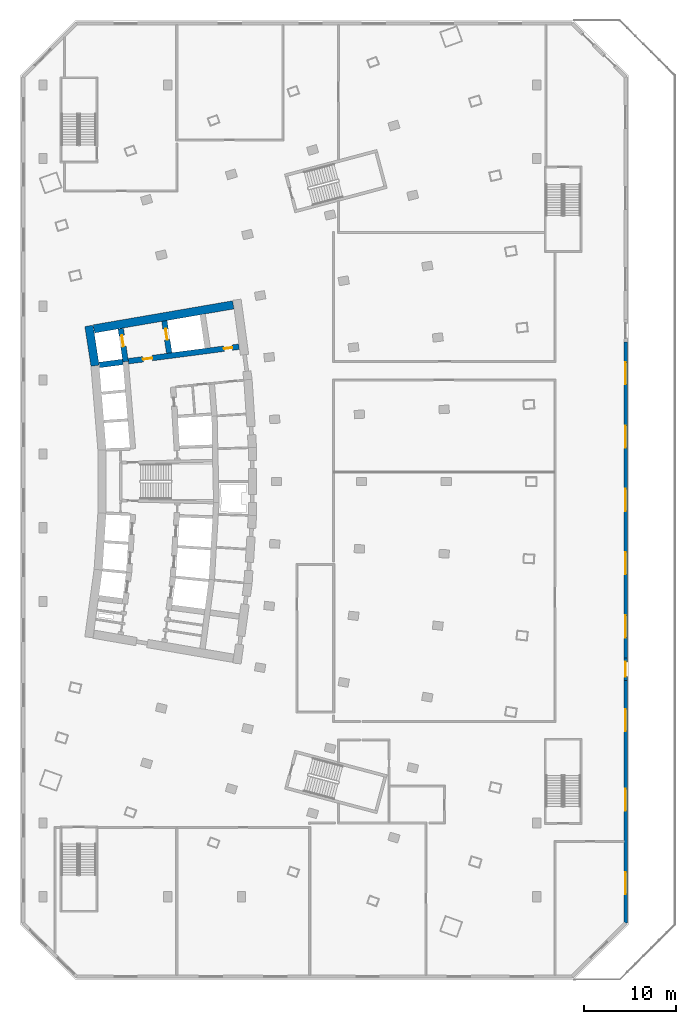
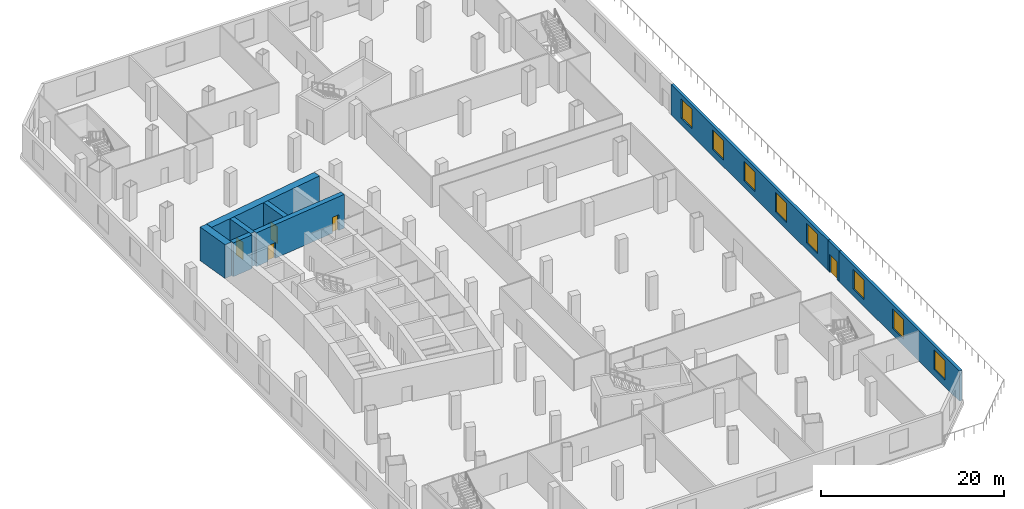
# One storey, part 6 of 14: 9 walls, 8 windows, 5 doors, 13 openings.
"""IFC4 building model written with IfcOpenShell, lengths in metres."""

from ifc_helpers import new_model, si_unit, direction, frame, frame_2d, origin, place, context, subcontext, project, spatial, rectangle, extrude, material, layer, layer_set, type_object, element, fill, save


model = new_model("IFC4")

# Units and contexts
model_context = context("Model", 3, precision=1e-05, world=origin(), true_north=direction((0.0, 1.0)))
body_context = subcontext(model_context, "Body", "Model", "MODEL_VIEW")
ifc_project = project(units=[si_unit("LENGTHUNIT", "METRE"), si_unit("AREAUNIT", "SQUARE_METRE"), si_unit("VOLUMEUNIT", "CUBIC_METRE"), si_unit("PLANEANGLEUNIT", "RADIAN"), si_unit("MASSUNIT", "GRAM", prefix="KILO")], contexts=[model_context])

# Site, building, storey
site_placement = place(None, origin())
site = spatial("IfcSite", under=ifc_project, at=site_placement, CompositionType="ELEMENT")
building_placement = place(site_placement, origin())
building = spatial("IfcBuilding", under=site, at=building_placement, Name="Alderwake Tower", CompositionType="ELEMENT")
storey_placement = place(building_placement, frame((0.0, 0.0, 23.0)))
storey = spatial("IfcBuildingStorey", under=building, at=storey_placement, Name="L04", CompositionType="ELEMENT", Elevation=23.0)

# Walls
ifc_material_1 = material(Name="Concrete C70/85", Category="concrete")
ifc_layer_1 = layer(ifc_material_1, 0.89990234375)
ifc_layer_set_1 = layer_set([ifc_layer_1], Name="Core wall outer 900 C70-85")
wall_type_1 = type_object("IfcWallType", Name="Core wall outer 900 C70-85", PredefinedType="SHEAR", material=ifc_layer_set_1)
wall_1_placement = place(storey_placement, frame((16.1337890625, 73.557373046875, 0.0), z_axis=(0.0, 0.0, 1.0), x_axis=(-0.151956504286, 0.988387181627, 0.0)))
element("IfcWall", 1, at=wall_1_placement, inside=storey, type_object=wall_type_1, Name="Core wall CW.039", PredefinedType="SHEAR", context=body_context, shape_type="SweptSolid", body=[
    extrude(rectangle(XDim=4.373291015625, YDim=0.89990234375, at=frame_2d((2.1865234375, 0.0))), origin(), (0.0, 0.0, 1.0), 4.5),
])
wall_2_placement = place(storey_placement, frame((16.005615234375, 77.548828125, 0.0), z_axis=(0.0, 0.0, 1.0), x_axis=(0.985465815888, 0.169873852363, 0.0)))
element("IfcWall", 2, at=wall_2_placement, inside=storey, type_object=wall_type_1, Name="Core wall CW.053", PredefinedType="SHEAR", context=body_context, shape_type="SweptSolid", body=[
    extrude(rectangle(XDim=15.33056640625, YDim=0.89990234375, at=frame_2d((7.665283203125, 0.0))), origin(), (0.0, 0.0, 1.0), 4.5),
])

# Wall, opening, door
ifc_material_2 = material(Name="Concrete C70/85", Category="concrete")
ifc_layer_2 = layer(ifc_material_2, 0.60009765625)
ifc_layer_set_2 = layer_set([ifc_layer_2], Name="Core wall spine 600 C70-85")
wall_type_2 = type_object("IfcWallType", Name="Core wall spine 600 C70-85", PredefinedType="SHEAR", material=ifc_layer_set_2)
wall_3_placement = place(storey_placement, frame((19.45458984375, 73.99755859375, 0.0), z_axis=(0.0, 0.0, 1.0), x_axis=(-0.147502312715, 0.989061710786, 0.0)))
wall_3 = element("IfcWall", 3, at=wall_3_placement, inside=storey, type_object=wall_type_2, Name="Core wall CW.030", PredefinedType="SHEAR", context=body_context, shape_type="SweptSolid", body=[
    extrude(rectangle(XDim=3.6181640625, YDim=0.60009765625, at=frame_2d((1.80908203125, 0.0))), origin(), (0.0, 0.0, 1.0), 4.5),
])
opening_1_placement = place(wall_3_placement, frame((1.664306640625, 0.0, 0.0)))
opening_1 = element("IfcOpeningElement", 4, at=opening_1_placement, cuts=wall_3, Name="Opening LD-FF1", PredefinedType="OPENING", context=body_context, shape_type="SweptSolid", body=[
    extrude(rectangle(XDim=1.199951171875, YDim=2.300048828125, at=frame_2d((0.60009765625, 1.14990234375))), frame((0.0, 0.31005859375, 0.0), z_axis=(0.0, -1.0, 0.0), x_axis=(1.0, 0.0, 0.0)), (0.0, 0.0, 1.0), 0.6201171875),
])
ifc_material_3 = material(Name="Stainless steel sliding leaf", Category="steel")
door_type_1 = type_object("IfcDoorType", Name="Lift landing door 1200", OperationType="SLIDING_TO_LEFT", PredefinedType="DOOR", material=ifc_material_3)
door_1_placement = place(opening_1_placement, origin())
door_1 = element("IfcDoor", 5, at=door_1_placement, inside=storey, type_object=door_type_1, Name="Lift landing door FF1", OperationType="SLIDING_TO_LEFT", OverallHeight=2.300048828125, OverallWidth=1.199951171875, PredefinedType="DOOR", context=body_context, shape_type="SweptSolid", body=[
    extrude(rectangle(XDim=1.199951171875, YDim=2.300048828125, at=frame_2d((0.60009765625, 1.14990234375))), frame((0.0, 0.050048828125, 0.0), z_axis=(0.0, -1.0, 0.0), x_axis=(1.0, 0.0, 0.0)), (0.0, 0.0, 1.0), 0.10009765625),
])
fill(opening_1, door_1)

wall_4_placement = place(storey_placement, frame((24.173095703125, 74.927734375, 0.0), z_axis=(0.0, 0.0, 1.0), x_axis=(-0.14910953086, 0.988820685365, 0.0)))
wall_4 = element("IfcWall", 6, at=wall_4_placement, inside=storey, type_object=wall_type_2, Name="Core wall CW.044", PredefinedType="SHEAR", context=body_context, shape_type="SweptSolid", body=[
    extrude(rectangle(XDim=3.5234375, YDim=0.60009765625, at=frame_2d((1.76171875, 0.0))), origin(), (0.0, 0.0, 1.0), 4.5),
])
opening_2_placement = place(wall_4_placement, frame((1.4619140625, 0.0, 0.0)))
opening_2 = element("IfcOpeningElement", 7, at=opening_2_placement, cuts=wall_4, Name="Opening LD-FF2", PredefinedType="OPENING", context=body_context, shape_type="SweptSolid", body=[
    extrude(rectangle(XDim=1.199951171875, YDim=2.300048828125, at=frame_2d((0.60009765625, 1.14990234375))), frame((0.0, 0.31005859375, 0.0), z_axis=(0.0, -1.0, 0.0), x_axis=(1.0, 0.0, 0.0)), (0.0, 0.0, 1.0), 0.6201171875),
])
door_2_placement = place(opening_2_placement, origin())
door_2 = element("IfcDoor", 8, at=door_2_placement, inside=storey, type_object=door_type_1, Name="Lift landing door FF2", OperationType="SLIDING_TO_LEFT", OverallHeight=2.300048828125, OverallWidth=1.199951171875, PredefinedType="DOOR", context=body_context, shape_type="SweptSolid", body=[
    extrude(rectangle(XDim=1.199951171875, YDim=2.300048828125, at=frame_2d((0.60009765625, 1.14990234375))), frame((0.0, 0.050048828125, 0.0), z_axis=(0.0, -1.0, 0.0), x_axis=(1.0, 0.0, 0.0)), (0.0, 0.0, 1.0), 0.10009765625),
])
fill(opening_2, door_2)

# Wall
wall_5_placement = place(storey_placement, frame((16.607666015625, 73.635498046875, 0.0), z_axis=(0.0, 0.0, 1.0), x_axis=(0.991551057449, 0.129717001478, 0.0)))
element("IfcWall", 9, at=wall_5_placement, inside=storey, type_object=wall_type_2, Name="Core wall CW.051", PredefinedType="SHEAR", context=body_context, shape_type="SweptSolid", body=[
    extrude(rectangle(XDim=2.569091796875, YDim=0.60009765625, at=frame_2d((1.28466796875, 0.0))), origin(), (0.0, 0.0, 1.0), 4.5),
])

# Wall, openings, doors
wall_6_placement = place(storey_placement, frame((31.735595703125, 75.6142578125, 0.0), z_axis=(0.0, 0.0, 1.0), x_axis=(-0.991553829991, -0.129695806526, 0.0)))
wall_6 = element("IfcWall", 10, at=wall_6_placement, inside=storey, type_object=wall_type_2, Name="Core wall CW.052", PredefinedType="SHEAR", context=body_context, shape_type="SweptSolid", body=[
    extrude(rectangle(XDim=12.0869140625, YDim=0.60009765625, at=frame_2d((6.04345703125, 0.0))), origin(), (0.0, 0.0, 1.0), 4.5),
])
opening_3_placement = place(wall_6_placement, frame((9.4873046875, 0.0, 0.0)))
opening_3 = element("IfcOpeningElement", 11, at=opening_3_placement, cuts=wall_6, Name="Opening C002", PredefinedType="OPENING", context=body_context, shape_type="SweptSolid", body=[
    extrude(rectangle(XDim=1.0, YDim=2.10009765625, at=frame_2d((0.5, 1.050048828125))), frame((0.0, 0.31005859375, 0.0), z_axis=(0.0, -1.0, 0.0), x_axis=(1.0, 0.0, 0.0)), (0.0, 0.0, 1.0), 0.6201171875),
])
opening_4_placement = place(wall_6_placement, frame((0.7373046875, 0.0, 0.0)))
opening_4 = element("IfcOpeningElement", 12, at=opening_4_placement, cuts=wall_6, Name="Opening C020", PredefinedType="OPENING", context=body_context, shape_type="SweptSolid", body=[
    extrude(rectangle(XDim=0.89990234375, YDim=2.10009765625, at=frame_2d((0.449951171875, 1.050048828125))), frame((0.0, 0.31005859375, 0.0), z_axis=(0.0, -1.0, 0.0), x_axis=(1.0, 0.0, 0.0)), (0.0, 0.0, 1.0), 0.6201171875),
])
ifc_material_4 = material(Name="Painted steel leaf", Category="steel")
door_type_2 = type_object("IfcDoorType", Name="Core room door 900", OperationType="SINGLE_SWING_LEFT", PredefinedType="DOOR", material=ifc_material_4)
door_3_placement = place(opening_4_placement, origin())
door_3 = element("IfcDoor", 13, at=door_3_placement, inside=storey, type_object=door_type_2, Name="Room door", OperationType="SINGLE_SWING_LEFT", OverallHeight=2.10009765625, OverallWidth=0.89990234375, PredefinedType="DOOR", context=body_context, shape_type="SweptSolid", body=[
    extrude(rectangle(XDim=0.89990234375, YDim=2.10009765625, at=frame_2d((0.449951171875, 1.050048828125))), frame((0.0, 0.050048828125, 0.0), z_axis=(0.0, -1.0, 0.0), x_axis=(1.0, 0.0, 0.0)), (0.0, 0.0, 1.0), 0.10009765625),
])
fill(opening_4, door_3)
ifc_material_5 = material(Name="Steel-framed fire door leaf", Category="steel")
door_type_3 = type_object("IfcDoorType", Name="Firefighting lobby door 1000 fire-rated", OperationType="SINGLE_SWING_LEFT", PredefinedType="DOOR", material=ifc_material_5)
door_4_placement = place(opening_3_placement, origin())
door_4 = element("IfcDoor", 14, at=door_4_placement, inside=storey, type_object=door_type_3, Name="Firefighting lobby door", OperationType="SINGLE_SWING_RIGHT", OverallHeight=2.10009765625, OverallWidth=1.0, PredefinedType="DOOR", context=body_context, shape_type="SweptSolid", body=[
    extrude(rectangle(XDim=1.0, YDim=2.10009765625, at=frame_2d((0.5, 1.050048828125))), frame((0.0, 0.050048828125, 0.0), z_axis=(0.0, -1.0, 0.0), x_axis=(1.0, 0.0, 0.0)), (0.0, 0.0, 1.0), 0.10009765625),
])
fill(opening_3, door_4)

# Wall, openings, windows
ifc_material_6 = material(Name="Precast concrete C50/60 spandrel panel", Category="concrete")
ifc_layer_3 = layer(ifc_material_6, 0.35009765625)
ifc_layer_set_3 = layer_set([ifc_layer_3], Name="External wall EW4 Precast concrete C50/60 podium")
wall_type_3 = type_object("IfcWallType", Name="External wall EW4 Precast concrete C50/60 podium", PredefinedType="SOLIDWALL", material=ifc_layer_set_3)
wall_7_placement = place(storey_placement, frame((73.64990234375, 13.14501953125, 0.0), z_axis=(0.0, 0.0, 1.0), x_axis=(0.0, 1.0, 0.0)))
wall_7 = element("IfcWall", 15, at=wall_7_placement, inside=storey, type_object=wall_type_3, Name="External wall 3", PredefinedType="SOLIDWALL", context=body_context, shape_type="SweptSolid", body=[
    extrude(rectangle(XDim=26.3173828125, YDim=0.35009765625, at=frame_2d((13.15869140625, 0.0))), origin(), (0.0, 0.0, 1.0), 4.050048828125),
])
opening_5_placement = place(wall_7_placement, frame((3.136962890625, 0.0, 0.89990234375)))
opening_5 = element("IfcOpeningElement", 16, at=opening_5_placement, cuts=wall_7, Name="Opening W6", PredefinedType="OPENING", context=body_context, shape_type="SweptSolid", body=[
    extrude(rectangle(XDim=2.39990234375, YDim=2.60009765625, at=frame_2d((1.199951171875, 1.300048828125))), frame((0.0, 0.18505859375, 0.0), z_axis=(0.0, -1.0, 0.0), x_axis=(1.0, 0.0, 0.0)), (0.0, 0.0, 1.0), 0.3701171875),
])
opening_6_placement = place(wall_7_placement, frame((12.15478515625, 0.0, 0.89990234375)))
opening_6 = element("IfcOpeningElement", 17, at=opening_6_placement, cuts=wall_7, Name="Opening W6", PredefinedType="OPENING", context=body_context, shape_type="SweptSolid", body=[
    extrude(rectangle(XDim=2.39990234375, YDim=2.60009765625, at=frame_2d((1.199951171875, 1.300048828125))), frame((0.0, 0.18505859375, 0.0), z_axis=(0.0, -1.0, 0.0), x_axis=(1.0, 0.0, 0.0)), (0.0, 0.0, 1.0), 0.3701171875),
])
opening_7_placement = place(wall_7_placement, frame((20.796630859375, 0.0, 0.89990234375)))
opening_7 = element("IfcOpeningElement", 18, at=opening_7_placement, cuts=wall_7, Name="Opening W6", PredefinedType="OPENING", context=body_context, shape_type="SweptSolid", body=[
    extrude(rectangle(XDim=2.39990234375, YDim=2.60009765625, at=frame_2d((1.199951171875, 1.300048828125))), frame((0.0, 0.18505859375, 0.0), z_axis=(0.0, -1.0, 0.0), x_axis=(1.0, 0.0, 0.0)), (0.0, 0.0, 1.0), 0.3701171875),
])
ifc_material_7 = material(Name="Bronze tinted glass in aluminium frame", Category="aluminium")
window_type = type_object("IfcWindowType", Name="Window W6 podium", PartitioningType="DOUBLE_PANEL_VERTICAL", PredefinedType="WINDOW", material=ifc_material_7)
window_1_placement = place(opening_5_placement, origin())
window_1 = element("IfcWindow", 19, at=window_1_placement, inside=storey, type_object=window_type, Name="Window W6 podium", OverallHeight=2.60009765625, OverallWidth=2.39990234375, PartitioningType="DOUBLE_PANEL_VERTICAL", PredefinedType="WINDOW", context=body_context, shape_type="SweptSolid", body=[
    extrude(rectangle(XDim=2.39990234375, YDim=2.60009765625, at=frame_2d((1.199951171875, 1.300048828125))), frame((0.0, 0.030029296875, 0.0), z_axis=(0.0, -1.0, 0.0), x_axis=(1.0, 0.0, 0.0)), (0.0, 0.0, 1.0), 0.06005859375),
])
fill(opening_5, window_1)
window_2_placement = place(opening_6_placement, origin())
window_2 = element("IfcWindow", 20, at=window_2_placement, inside=storey, type_object=window_type, Name="Window W6 podium", OverallHeight=2.60009765625, OverallWidth=2.39990234375, PartitioningType="DOUBLE_PANEL_VERTICAL", PredefinedType="WINDOW", context=body_context, shape_type="SweptSolid", body=[
    extrude(rectangle(XDim=2.39990234375, YDim=2.60009765625, at=frame_2d((1.199951171875, 1.300048828125))), frame((0.0, 0.030029296875, 0.0), z_axis=(0.0, -1.0, 0.0), x_axis=(1.0, 0.0, 0.0)), (0.0, 0.0, 1.0), 0.06005859375),
])
fill(opening_6, window_2)
window_3_placement = place(opening_7_placement, origin())
window_3 = element("IfcWindow", 21, at=window_3_placement, inside=storey, type_object=window_type, Name="Window W6 podium", OverallHeight=2.60009765625, OverallWidth=2.39990234375, PartitioningType="DOUBLE_PANEL_VERTICAL", PredefinedType="WINDOW", context=body_context, shape_type="SweptSolid", body=[
    extrude(rectangle(XDim=2.39990234375, YDim=2.60009765625, at=frame_2d((1.199951171875, 1.300048828125))), frame((0.0, 0.030029296875, 0.0), z_axis=(0.0, -1.0, 0.0), x_axis=(1.0, 0.0, 0.0)), (0.0, 0.0, 1.0), 0.06005859375),
])
fill(opening_7, window_3)

# Wall, opening, door
wall_8_placement = place(storey_placement, frame((73.64990234375, 39.46240234375, 0.0), z_axis=(0.0, 0.0, 1.0), x_axis=(0.0, 1.0, 0.0)))
wall_8 = element("IfcWall", 22, at=wall_8_placement, inside=storey, type_object=wall_type_3, Name="External wall 4", PredefinedType="SOLIDWALL", context=body_context, shape_type="SweptSolid", body=[
    extrude(rectangle(XDim=2.400146484375, YDim=0.35009765625, at=frame_2d((1.2001953125, 0.0))), origin(), (0.0, 0.0, 1.0), 4.050048828125),
])
opening_8_placement = place(wall_8_placement, frame((0.39990234375, 0.0, 0.0)))
opening_8 = element("IfcOpeningElement", 23, at=opening_8_placement, cuts=wall_8, Name="Opening D01", PredefinedType="OPENING", context=body_context, shape_type="SweptSolid", body=[
    extrude(rectangle(XDim=1.60009765625, YDim=2.39990234375, at=frame_2d((0.800048828125, 1.199951171875))), frame((0.0, 0.18505859375, 0.0), z_axis=(0.0, -1.0, 0.0), x_axis=(1.0, 0.0, 0.0)), (0.0, 0.0, 1.0), 0.3701171875),
])
ifc_material_8 = material(Name="Bronze tinted glass in aluminium frame", Category="aluminium")
door_type_4 = type_object("IfcDoorType", Name="Terrace door TD sliding", OperationType="SLIDING_TO_LEFT", PredefinedType="DOOR", material=ifc_material_8)
door_5_placement = place(opening_8_placement, origin())
door_5 = element("IfcDoor", 24, at=door_5_placement, inside=storey, type_object=door_type_4, Name="Door D01", OperationType="SLIDING_TO_LEFT", OverallHeight=2.39990234375, OverallWidth=1.60009765625, PredefinedType="DOOR", context=body_context, shape_type="SweptSolid", body=[
    extrude(rectangle(XDim=1.60009765625, YDim=2.39990234375, at=frame_2d((0.800048828125, 1.199951171875))), frame((0.0, 0.02490234375, 0.0), z_axis=(0.0, -1.0, 0.0), x_axis=(1.0, 0.0, 0.0)), (0.0, 0.0, 1.0), 0.050048828125),
])
fill(opening_8, door_5)

# Wall, openings, windows
wall_9_placement = place(storey_placement, frame((73.64990234375, 41.862548828125, 0.0), z_axis=(0.0, 0.0, 1.0), x_axis=(0.0, 1.0, 0.0)))
wall_9 = element("IfcWall", 25, at=wall_9_placement, inside=storey, type_object=wall_type_3, Name="External wall 5", PredefinedType="SOLIDWALL", context=body_context, shape_type="SweptSolid", body=[
    extrude(rectangle(XDim=34.2900390625, YDim=0.35009765625, at=frame_2d((17.14501953125, 0.0))), origin(), (0.0, 0.0, 1.0), 4.050048828125),
])
opening_9_placement = place(wall_9_placement, frame((2.22900390625, 0.0, 0.89990234375)))
opening_9 = element("IfcOpeningElement", 26, at=opening_9_placement, cuts=wall_9, Name="Opening W6", PredefinedType="OPENING", context=body_context, shape_type="SweptSolid", body=[
    extrude(rectangle(XDim=2.39990234375, YDim=2.60009765625, at=frame_2d((1.199951171875, 1.300048828125))), frame((0.0, 0.18505859375, 0.0), z_axis=(0.0, -1.0, 0.0), x_axis=(1.0, 0.0, 0.0)), (0.0, 0.0, 1.0), 0.3701171875),
])
opening_10_placement = place(wall_9_placement, frame((9.0869140625, 0.0, 0.89990234375)))
opening_10 = element("IfcOpeningElement", 27, at=opening_10_placement, cuts=wall_9, Name="Opening W6", PredefinedType="OPENING", context=body_context, shape_type="SweptSolid", body=[
    extrude(rectangle(XDim=2.39990234375, YDim=2.60009765625, at=frame_2d((1.199951171875, 1.300048828125))), frame((0.0, 0.18505859375, 0.0), z_axis=(0.0, -1.0, 0.0), x_axis=(1.0, 0.0, 0.0)), (0.0, 0.0, 1.0), 0.3701171875),
])
opening_11_placement = place(wall_9_placement, frame((15.945068359375, 0.0, 0.89990234375)))
opening_11 = element("IfcOpeningElement", 28, at=opening_11_placement, cuts=wall_9, Name="Opening W6", PredefinedType="OPENING", context=body_context, shape_type="SweptSolid", body=[
    extrude(rectangle(XDim=2.39990234375, YDim=2.60009765625, at=frame_2d((1.199951171875, 1.300048828125))), frame((0.0, 0.18505859375, 0.0), z_axis=(0.0, -1.0, 0.0), x_axis=(1.0, 0.0, 0.0)), (0.0, 0.0, 1.0), 0.3701171875),
])
opening_12_placement = place(wall_9_placement, frame((22.802978515625, 0.0, 0.89990234375)))
opening_12 = element("IfcOpeningElement", 29, at=opening_12_placement, cuts=wall_9, Name="Opening W6", PredefinedType="OPENING", context=body_context, shape_type="SweptSolid", body=[
    extrude(rectangle(XDim=2.39990234375, YDim=2.60009765625, at=frame_2d((1.199951171875, 1.300048828125))), frame((0.0, 0.18505859375, 0.0), z_axis=(0.0, -1.0, 0.0), x_axis=(1.0, 0.0, 0.0)), (0.0, 0.0, 1.0), 0.3701171875),
])
opening_13_placement = place(wall_9_placement, frame((29.660888671875, 0.0, 0.89990234375)))
opening_13 = element("IfcOpeningElement", 30, at=opening_13_placement, cuts=wall_9, Name="Opening W6", PredefinedType="OPENING", context=body_context, shape_type="SweptSolid", body=[
    extrude(rectangle(XDim=2.39990234375, YDim=2.60009765625, at=frame_2d((1.199951171875, 1.300048828125))), frame((0.0, 0.18505859375, 0.0), z_axis=(0.0, -1.0, 0.0), x_axis=(1.0, 0.0, 0.0)), (0.0, 0.0, 1.0), 0.3701171875),
])
window_4_placement = place(opening_9_placement, origin())
window_4 = element("IfcWindow", 31, at=window_4_placement, inside=storey, type_object=window_type, Name="Window W6 podium", OverallHeight=2.60009765625, OverallWidth=2.39990234375, PartitioningType="DOUBLE_PANEL_VERTICAL", PredefinedType="WINDOW", context=body_context, shape_type="SweptSolid", body=[
    extrude(rectangle(XDim=2.39990234375, YDim=2.60009765625, at=frame_2d((1.199951171875, 1.300048828125))), frame((0.0, 0.030029296875, 0.0), z_axis=(0.0, -1.0, 0.0), x_axis=(1.0, 0.0, 0.0)), (0.0, 0.0, 1.0), 0.06005859375),
])
fill(opening_9, window_4)
window_5_placement = place(opening_10_placement, origin())
window_5 = element("IfcWindow", 32, at=window_5_placement, inside=storey, type_object=window_type, Name="Window W6 podium", OverallHeight=2.60009765625, OverallWidth=2.39990234375, PartitioningType="DOUBLE_PANEL_VERTICAL", PredefinedType="WINDOW", context=body_context, shape_type="SweptSolid", body=[
    extrude(rectangle(XDim=2.39990234375, YDim=2.60009765625, at=frame_2d((1.199951171875, 1.300048828125))), frame((0.0, 0.030029296875, 0.0), z_axis=(0.0, -1.0, 0.0), x_axis=(1.0, 0.0, 0.0)), (0.0, 0.0, 1.0), 0.06005859375),
])
fill(opening_10, window_5)
window_6_placement = place(opening_11_placement, origin())
window_6 = element("IfcWindow", 33, at=window_6_placement, inside=storey, type_object=window_type, Name="Window W6 podium", OverallHeight=2.60009765625, OverallWidth=2.39990234375, PartitioningType="DOUBLE_PANEL_VERTICAL", PredefinedType="WINDOW", context=body_context, shape_type="SweptSolid", body=[
    extrude(rectangle(XDim=2.39990234375, YDim=2.60009765625, at=frame_2d((1.199951171875, 1.300048828125))), frame((0.0, 0.030029296875, 0.0), z_axis=(0.0, -1.0, 0.0), x_axis=(1.0, 0.0, 0.0)), (0.0, 0.0, 1.0), 0.06005859375),
])
fill(opening_11, window_6)
window_7_placement = place(opening_12_placement, origin())
window_7 = element("IfcWindow", 34, at=window_7_placement, inside=storey, type_object=window_type, Name="Window W6 podium", OverallHeight=2.60009765625, OverallWidth=2.39990234375, PartitioningType="DOUBLE_PANEL_VERTICAL", PredefinedType="WINDOW", context=body_context, shape_type="SweptSolid", body=[
    extrude(rectangle(XDim=2.39990234375, YDim=2.60009765625, at=frame_2d((1.199951171875, 1.300048828125))), frame((0.0, 0.030029296875, 0.0), z_axis=(0.0, -1.0, 0.0), x_axis=(1.0, 0.0, 0.0)), (0.0, 0.0, 1.0), 0.06005859375),
])
fill(opening_12, window_7)
window_8_placement = place(opening_13_placement, origin())
window_8 = element("IfcWindow", 35, at=window_8_placement, inside=storey, type_object=window_type, Name="Window W6 podium", OverallHeight=2.60009765625, OverallWidth=2.39990234375, PartitioningType="DOUBLE_PANEL_VERTICAL", PredefinedType="WINDOW", context=body_context, shape_type="SweptSolid", body=[
    extrude(rectangle(XDim=2.39990234375, YDim=2.60009765625, at=frame_2d((1.199951171875, 1.300048828125))), frame((0.0, 0.030029296875, 0.0), z_axis=(0.0, -1.0, 0.0), x_axis=(1.0, 0.0, 0.0)), (0.0, 0.0, 1.0), 0.06005859375),
])
fill(opening_13, window_8)

save(model, "model.ifc")
